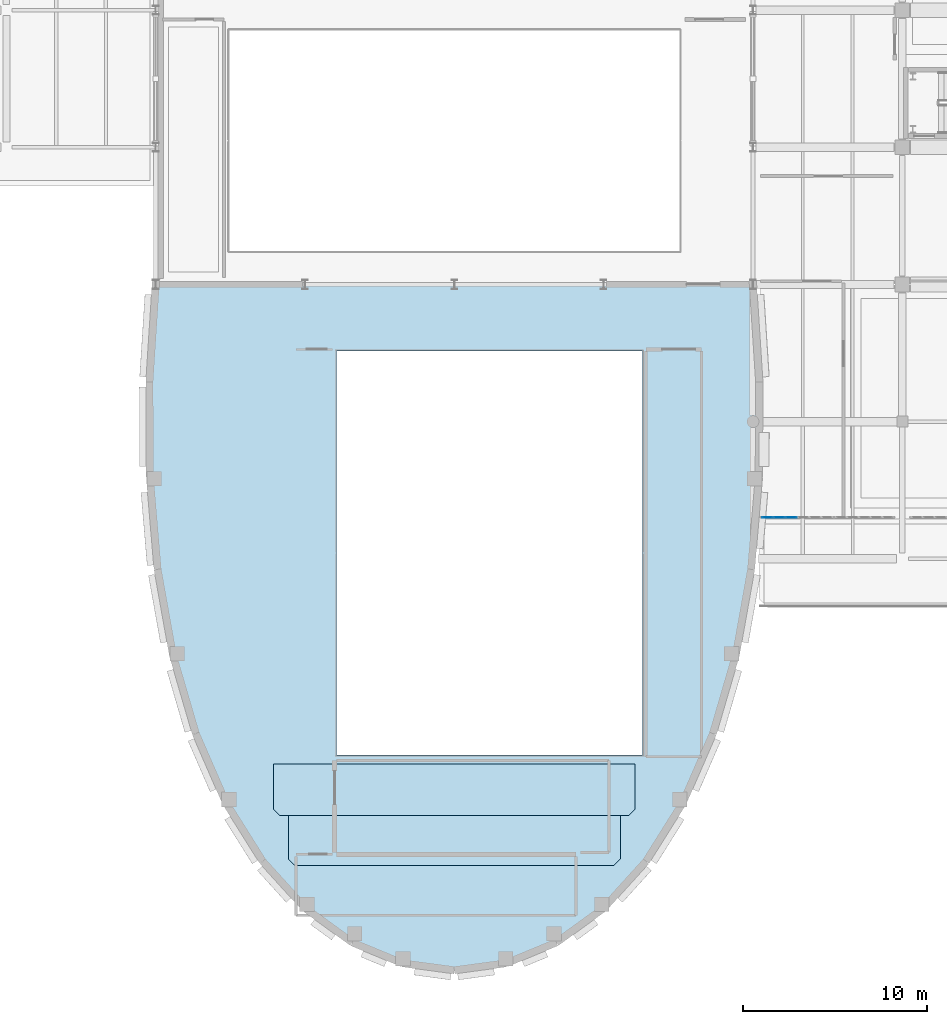
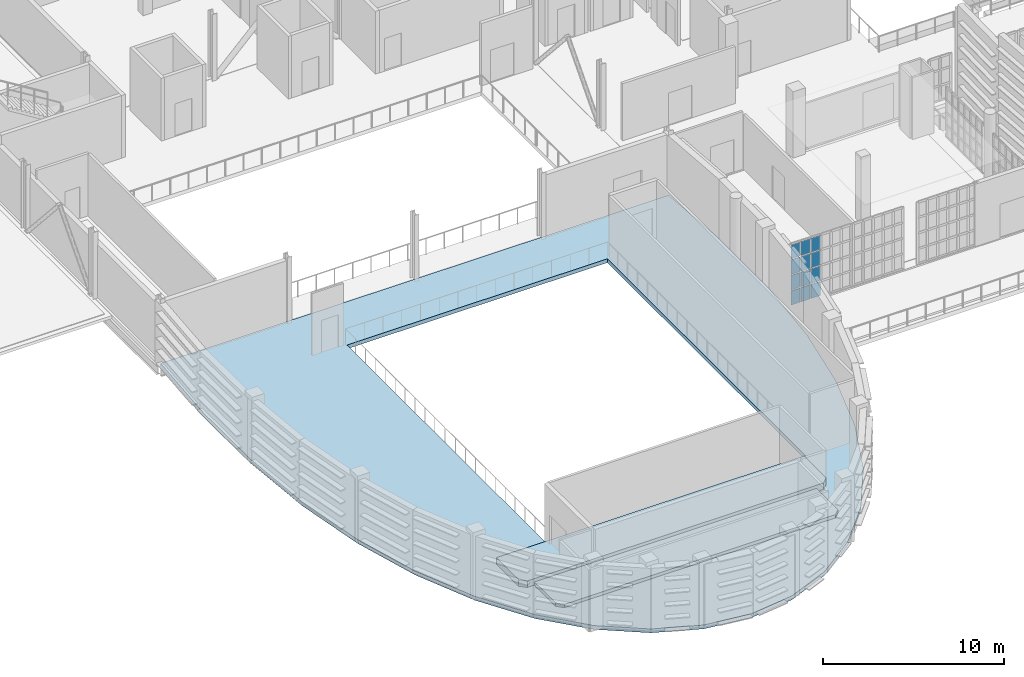
# One storey, part 45 of 73: 12 plates, 3 slabs, 1 element without a shape of its own.
"""IFC4 building model written with IfcOpenShell, lengths in metres."""

from ifc_helpers import new_model, si_unit, direction, frame, origin, origin_2d, place, context, subcontext, project, spatial, polyline, rectangle, outline, extrude, material, layer, layer_set, type_object, element, aggregate, save


model = new_model("IFC4")

# Units and contexts
model_context = context("Model", 3, precision=1e-05, world=origin(), true_north=direction((0.0, 1.0)))
body_context = subcontext(model_context, "Body", "Model", "MODEL_VIEW")
ifc_project = project(units=[si_unit("LENGTHUNIT", "METRE"), si_unit("AREAUNIT", "SQUARE_METRE"), si_unit("VOLUMEUNIT", "CUBIC_METRE"), si_unit("PLANEANGLEUNIT", "RADIAN"), si_unit("MASSUNIT", "GRAM", prefix="KILO")], contexts=[model_context])

# Site, building, storey
site_placement = place(None, origin())
site = spatial("IfcSite", under=ifc_project, at=site_placement, CompositionType="ELEMENT")
building_placement = place(site_placement, origin())
building = spatial("IfcBuilding", under=site, at=building_placement, Name="Kaelora Sail Theatre", CompositionType="ELEMENT")
storey_placement = place(building_placement, frame((0.0, 0.0, 10.199951171875)))
storey = spatial("IfcBuildingStorey", under=building, at=storey_placement, Name="L02", CompositionType="ELEMENT", Elevation=10.199951171875)

# Curtain wall, plates
ifc_material_1 = material(Name="Anodised aluminium and solar-control low-E IGU", Category="aluminium")
curtain_wall_type = type_object("IfcCurtainWallType", Name="ARC-CW-CW-BRG", PredefinedType="NOTDEFINED", material=ifc_material_1)
curtain_wall_placement = place(storey_placement, origin())
curtain_wall = element("IfcCurtainWall", 1, at=curtain_wall_placement, inside=storey, type_object=curtain_wall_type, Name="West Interstitial Sail Foyer Curtain Wall L02-01", PredefinedType="NOTDEFINED")
ifc_material_2 = material(Name="Solar-control laminated low-E glass", Category="glass")
ifc_layer_1 = layer(ifc_material_2, 0.031982421875)
ifc_layer_set_1 = layer_set([ifc_layer_1], Name="Solar-control laminated low-E glass")
plate_type = type_object("IfcPlateType", Name="ARC-CW-PNL", PredefinedType="CURTAIN_PANEL", material=ifc_layer_set_1)
plate_1_placement = place(storey_placement, frame((58.989990234375, 48.389892578125, 0.070068359375), z_axis=(0.0, 0.0, 1.0), x_axis=(1.0, 0.0, 0.0)))
plate_1 = element("IfcPlate", 2, at=plate_1_placement, type_object=plate_type, Name="CW-BRG panel 1.1", PredefinedType="CURTAIN_PANEL", context=body_context, shape_type="SweptSolid", body=[
    extrude(rectangle(XDim=0.56005859375, YDim=0.031982421875, at=origin_2d()), origin(), (0.0, 0.0, 1.0), 0.9462890625),
])
plate_2_placement = place(storey_placement, frame((58.989990234375, 48.389892578125, 1.08642578125), z_axis=(0.0, 0.0, 1.0), x_axis=(1.0, 0.0, 0.0)))
plate_2 = element("IfcPlate", 3, at=plate_2_placement, type_object=plate_type, Name="CW-BRG panel 1.2", PredefinedType="CURTAIN_PANEL", context=body_context, shape_type="SweptSolid", body=[
    extrude(rectangle(XDim=0.56005859375, YDim=0.031982421875, at=origin_2d()), origin(), (0.0, 0.0, 1.0), 0.981201171875),
])
plate_3_placement = place(storey_placement, frame((58.989990234375, 48.389892578125, 2.1376953125), z_axis=(0.0, 0.0, 1.0), x_axis=(1.0, 0.0, 0.0)))
plate_3 = element("IfcPlate", 4, at=plate_3_placement, type_object=plate_type, Name="CW-BRG panel 1.3", PredefinedType="CURTAIN_PANEL", context=body_context, shape_type="SweptSolid", body=[
    extrude(rectangle(XDim=0.56005859375, YDim=0.031982421875, at=origin_2d()), origin(), (0.0, 0.0, 1.0), 0.981201171875),
])
plate_4_placement = place(storey_placement, frame((58.989990234375, 48.389892578125, 3.188720703125), z_axis=(0.0, 0.0, 1.0), x_axis=(1.0, 0.0, 0.0)))
plate_4 = element("IfcPlate", 5, at=plate_4_placement, type_object=plate_type, Name="CW-BRG panel 1.4", PredefinedType="CURTAIN_PANEL", context=body_context, shape_type="SweptSolid", body=[
    extrude(rectangle(XDim=0.56005859375, YDim=0.031982421875, at=origin_2d()), origin(), (0.0, 0.0, 1.0), 0.9462890625),
])
plate_5_placement = place(storey_placement, frame((59.625, 48.389892578125, 0.070068359375), z_axis=(0.0, 0.0, 1.0), x_axis=(1.0, 0.0, 0.0)))
plate_5 = element("IfcPlate", 6, at=plate_5_placement, type_object=plate_type, Name="CW-BRG panel 2.1", PredefinedType="CURTAIN_PANEL", context=body_context, shape_type="SweptSolid", body=[
    extrude(rectangle(XDim=0.590087890625, YDim=0.031982421875, at=origin_2d()), origin(), (0.0, 0.0, 1.0), 0.9462890625),
])
plate_6_placement = place(storey_placement, frame((59.625, 48.389892578125, 1.08642578125), z_axis=(0.0, 0.0, 1.0), x_axis=(1.0, 0.0, 0.0)))
plate_6 = element("IfcPlate", 7, at=plate_6_placement, type_object=plate_type, Name="CW-BRG panel 2.2", PredefinedType="CURTAIN_PANEL", context=body_context, shape_type="SweptSolid", body=[
    extrude(rectangle(XDim=0.590087890625, YDim=0.031982421875, at=origin_2d()), origin(), (0.0, 0.0, 1.0), 0.981201171875),
])
plate_7_placement = place(storey_placement, frame((59.625, 48.389892578125, 2.1376953125), z_axis=(0.0, 0.0, 1.0), x_axis=(1.0, 0.0, 0.0)))
plate_7 = element("IfcPlate", 8, at=plate_7_placement, type_object=plate_type, Name="CW-BRG panel 2.3", PredefinedType="CURTAIN_PANEL", context=body_context, shape_type="SweptSolid", body=[
    extrude(rectangle(XDim=0.590087890625, YDim=0.031982421875, at=origin_2d()), origin(), (0.0, 0.0, 1.0), 0.981201171875),
])
plate_8_placement = place(storey_placement, frame((59.625, 48.389892578125, 3.188720703125), z_axis=(0.0, 0.0, 1.0), x_axis=(1.0, 0.0, 0.0)))
plate_8 = element("IfcPlate", 9, at=plate_8_placement, type_object=plate_type, Name="CW-BRG panel 2.4", PredefinedType="CURTAIN_PANEL", context=body_context, shape_type="SweptSolid", body=[
    extrude(rectangle(XDim=0.590087890625, YDim=0.031982421875, at=origin_2d()), origin(), (0.0, 0.0, 1.0), 0.9462890625),
])
plate_9_placement = place(storey_placement, frame((60.27490234375, 48.389892578125, 0.070068359375), z_axis=(0.0, 0.0, 1.0), x_axis=(1.0, 0.0, 0.0)))
plate_9 = element("IfcPlate", 10, at=plate_9_placement, type_object=plate_type, Name="CW-BRG panel 3.1", PredefinedType="CURTAIN_PANEL", context=body_context, shape_type="SweptSolid", body=[
    extrude(rectangle(XDim=0.590087890625, YDim=0.031982421875, at=origin_2d()), origin(), (0.0, 0.0, 1.0), 0.9462890625),
])
plate_10_placement = place(storey_placement, frame((60.27490234375, 48.389892578125, 1.08642578125), z_axis=(0.0, 0.0, 1.0), x_axis=(1.0, 0.0, 0.0)))
plate_10 = element("IfcPlate", 11, at=plate_10_placement, type_object=plate_type, Name="CW-BRG panel 3.2", PredefinedType="CURTAIN_PANEL", context=body_context, shape_type="SweptSolid", body=[
    extrude(rectangle(XDim=0.590087890625, YDim=0.031982421875, at=origin_2d()), origin(), (0.0, 0.0, 1.0), 0.981201171875),
])
plate_11_placement = place(storey_placement, frame((60.27490234375, 48.389892578125, 2.1376953125), z_axis=(0.0, 0.0, 1.0), x_axis=(1.0, 0.0, 0.0)))
plate_11 = element("IfcPlate", 12, at=plate_11_placement, type_object=plate_type, Name="CW-BRG panel 3.3", PredefinedType="CURTAIN_PANEL", context=body_context, shape_type="SweptSolid", body=[
    extrude(rectangle(XDim=0.590087890625, YDim=0.031982421875, at=origin_2d()), origin(), (0.0, 0.0, 1.0), 0.981201171875),
])
plate_12_placement = place(storey_placement, frame((60.27490234375, 48.389892578125, 3.188720703125), z_axis=(0.0, 0.0, 1.0), x_axis=(1.0, 0.0, 0.0)))
plate_12 = element("IfcPlate", 13, at=plate_12_placement, type_object=plate_type, Name="CW-BRG panel 3.4", PredefinedType="CURTAIN_PANEL", context=body_context, shape_type="SweptSolid", body=[
    extrude(rectangle(XDim=0.590087890625, YDim=0.031982421875, at=origin_2d()), origin(), (0.0, 0.0, 1.0), 0.9462890625),
])
aggregate(curtain_wall, [plate_1, plate_2, plate_3, plate_4, plate_5, plate_6, plate_7, plate_8, plate_9, plate_10, plate_11, plate_12])

# Slabs
ifc_material_3 = material(Name="Concrete C40/50", Category="concrete")
ifc_layer_2 = layer(ifc_material_3, 0.260009765625)
ifc_layer_set_2 = layer_set([ifc_layer_2], Name="Concrete C40/50")
slab_type_1 = type_object("IfcSlabType", Name="STR-SLB-SL-FL260", PredefinedType="FLOOR", material=ifc_layer_set_2)
slab_1_placement = place(storey_placement, frame((0.0, 0.0, -0.260009765625)))
element("IfcSlab", 14, at=slab_1_placement, inside=storey, type_object=slab_type_1, Name="Main Theatre floor slab (L02)", PredefinedType="FLOOR", context=body_context, shape_type="SweptSolid", body=[
    extrude(outline(polyline([(58.199951171875, 61.02001953125), (58.542236328125, 55.725830078125), (58.516845703125, 50.53955078125), (58.096435546875, 45.566650390625), (57.265625, 40.908203125), (56.02490234375, 36.6591796875), (54.390380859375, 32.906005859375), (52.395751953125, 29.725341796875), (50.090087890625, 27.181640625), (47.537109375, 25.326904296875), (44.8125, 24.198486328125), (42.0, 23.820068359375), (39.1875, 24.198486328125), (36.462890625, 25.326904296875), (33.909912109375, 27.181640625), (31.604248046875, 29.725341796875), (29.609619140625, 32.906005859375), (27.97509765625, 36.6591796875), (26.734375, 40.908203125), (25.903564453125, 45.566650390625), (25.483154296875, 50.53955078125), (25.457763671875, 55.725830078125), (25.800048828125, 61.02001953125), (58.199951171875, 61.02001953125)]), holes=[polyline([(35.60009765625, 35.5), (52.199951171875, 35.5), (52.199951171875, 57.39990234375), (35.60009765625, 57.39990234375), (35.60009765625, 35.5)])]), origin(), (0.0, 0.0, 1.0), 0.260009765625),
])
ifc_material_4 = material(Name="Precast concrete C45/55", Category="concrete")
ifc_layer_3 = layer(ifc_material_4, 0.159912109375)
ifc_layer_set_3 = layer_set([ifc_layer_3], Name="Precast concrete C45/55")
slab_type_2 = type_object("IfcSlabType", Name="STR-SLB-SL-ST160", PredefinedType="USERDEFINED", material=ifc_layer_set_3)
slab_2_placement = place(storey_placement, origin())
element("IfcSlab", 15, at=slab_2_placement, inside=storey, type_object=slab_type_2, Name="Auditorium seating tier ST-M10", ObjectType="SEATING TIER", PredefinedType="USERDEFINED", context=body_context, shape_type="SweptSolid", body=[
    extrude(outline(polyline([(33.35009765625, 29.5), (50.64990234375, 29.5), (51.0, 29.85009765625), (51.0, 32.199951171875), (33.0, 32.199951171875), (33.0, 29.85009765625), (33.35009765625, 29.5)])), origin(), (0.0, 0.0, 1.0), 0.219970703125),
])
slab_3_placement = place(storey_placement, origin())
element("IfcSlab", 16, at=slab_3_placement, inside=storey, type_object=slab_type_2, Name="Auditorium seating tier ST-M11", ObjectType="SEATING TIER", PredefinedType="USERDEFINED", context=body_context, shape_type="SweptSolid", body=[
    extrude(outline(polyline([(32.550048828125, 32.199951171875), (51.449951171875, 32.199951171875), (51.800048828125, 32.550048828125), (51.800048828125, 35.0), (32.199951171875, 35.0), (32.199951171875, 32.550048828125), (32.550048828125, 32.199951171875)])), origin(), (0.0, 0.0, 1.0), 0.43994140625),
])

save(model, "model.ifc")
